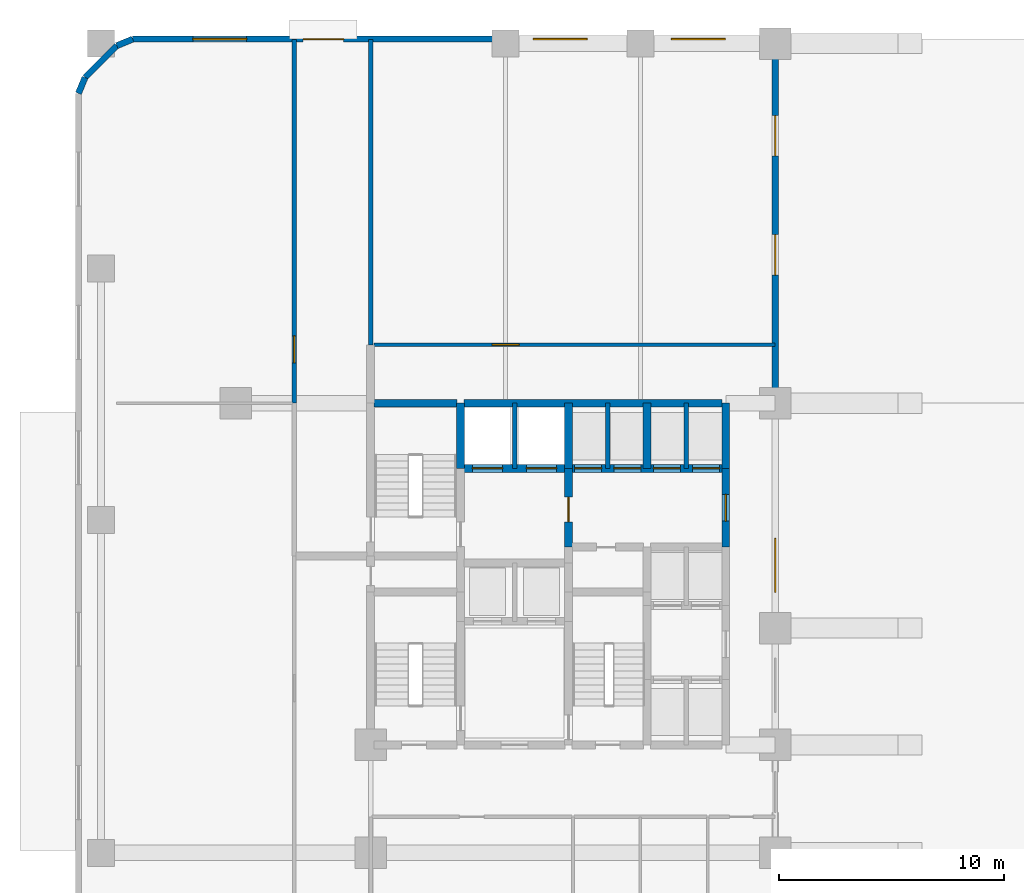
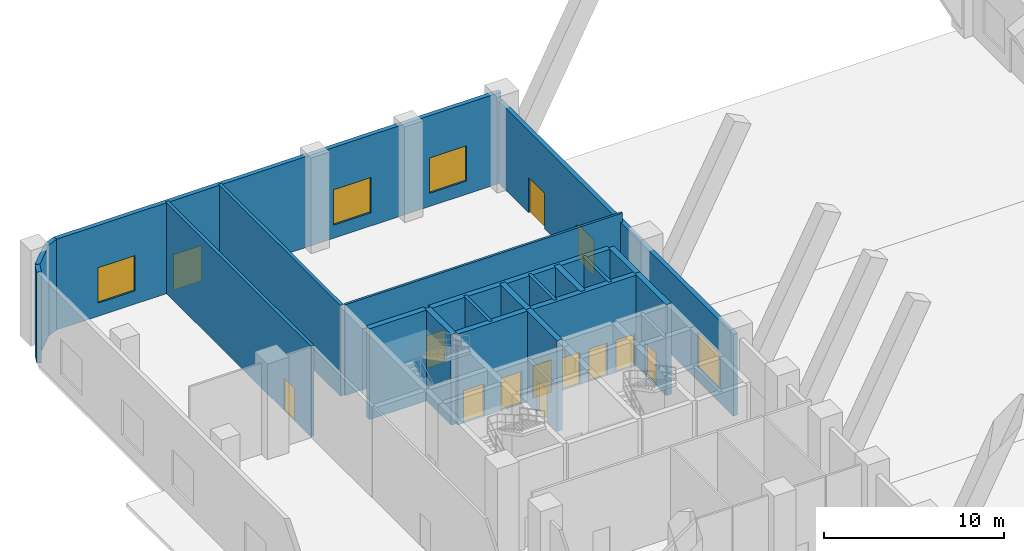
# One storey, part 5 of 10: 20 walls, 13 doors, 4 windows, 17 openings.
"""IFC4 building model written with IfcOpenShell, lengths in metres."""

import ifcopenshell
import ifcopenshell.guid

model = None  # the IFC model being written
_history = None  # IfcOwnerHistory: only IFC2X3 demands one
_inside = {}  # id of a spatial element -> (the spatial element, [elements in it])
_under = {}  # id of a project, library or spatial element -> (it, [spatial elements below it])
_declared = {}  # id of a project -> (the project, [libraries it declares])
_typed = {}  # id of a type object -> (the type object, [elements of that type])
_made_of = {}  # id of a material, layer set ... -> (it, [elements and type objects made of it])


def new_model(schema):
    """Start an empty IFC model of exactly this schema.

    Asked for "IFC4X3", IfcOpenShell would pick the latest addendum, in which some entities
    have other attributes; the version numbers below select the first issue.
    IFC2X3 requires an IfcOwnerHistory on every rooted entity: one is made here for all.
    """
    global model, _history
    if schema == "IFC4X3":
        model = ifcopenshell.file(schema_version=(4, 3, 0, 0))
    else:
        model = ifcopenshell.file(schema=schema)
    _inside.clear()
    _under.clear()
    _declared.clear()
    _typed.clear()
    _made_of.clear()
    _history = None
    if model.schema == "IFC2X3":
        org = make("IfcOrganization", Name="unknown")
        user = make(
            "IfcPersonAndOrganization",
            ThePerson=make("IfcPerson", FamilyName="unknown"),
            TheOrganization=org,
        )
        app = make(
            "IfcApplication",
            ApplicationDeveloper=org,
            Version="unknown",
            ApplicationFullName="unknown",
            ApplicationIdentifier="unknown",
        )
        _history = make(
            "IfcOwnerHistory",
            OwningUser=user,
            OwningApplication=app,
            ChangeAction="ADDED",
            CreationDate=0,
        )
    return model


def make(cls, **values):
    """One entity of the class cls with the attributes given. An attribute that is None is left unset."""
    return model.create_entity(
        cls, **{name: value for name, value in values.items() if value is not None}
    )


def rooted(cls, **values):
    """An entity with a GlobalId (a new one), such as an element, a storey or a relation."""
    return make(cls, GlobalId=ifcopenshell.guid.new(), OwnerHistory=_history, **values)


def si_unit(unit_type, name, prefix=None):
    """IfcSIUnit, for example si_unit("LENGTHUNIT", "METRE", prefix="MILLI")."""
    return make("IfcSIUnit", UnitType=unit_type, Prefix=prefix, Name=name)


def assignment(units):
    """IfcUnitAssignment: the units of a project."""
    return None if units is None else make("IfcUnitAssignment", Units=units)


def point(xyz):
    """IfcCartesianPoint."""
    return None if xyz is None else make("IfcCartesianPoint", Coordinates=xyz)


def direction(xyz):
    """IfcDirection."""
    return None if xyz is None else make("IfcDirection", DirectionRatios=xyz)


def frame(location, z_axis=None, x_axis=None):
    """IfcAxis2Placement3D, a coordinate frame: its origin and axes. An axis left out is left unset."""
    return make(
        "IfcAxis2Placement3D",
        Location=point(location),
        Axis=direction(z_axis),
        RefDirection=direction(x_axis),
    )


def frame_2d(location, x_axis=None):
    """IfcAxis2Placement2D, a coordinate frame in the plane: its origin and x axis."""
    return make(
        "IfcAxis2Placement2D", Location=point(location), RefDirection=direction(x_axis)
    )


def origin():
    """The frame at (0, 0, 0) with its axes left unset."""
    return frame((0.0, 0.0, 0.0))


def place(relative_to, where):
    """IfcLocalPlacement: puts the frame where relative to a parent placement (None: the world)."""
    return make(
        "IfcLocalPlacement", PlacementRelTo=relative_to, RelativePlacement=where
    )


def context(
    kind, dimensions, precision=None, world=None, true_north=None, identifier=None
):
    """IfcGeometricRepresentationContext, for example the 3D "Model" context."""
    return make(
        "IfcGeometricRepresentationContext",
        ContextIdentifier=identifier,
        ContextType=kind,
        CoordinateSpaceDimension=dimensions,
        Precision=precision,
        WorldCoordinateSystem=world,
        TrueNorth=true_north,
    )


def subcontext(parent, identifier, kind, view, scale=None):
    """IfcGeometricRepresentationSubContext, for example "Body" below "Model"."""
    return make(
        "IfcGeometricRepresentationSubContext",
        ContextIdentifier=identifier,
        ContextType=kind,
        ParentContext=parent,
        TargetScale=scale,
        TargetView=view,
    )


def project(units=None, contexts=None):
    """IfcProject with its units and contexts."""
    return rooted(
        "IfcProject",
        Name="project",
        RepresentationContexts=contexts,
        UnitsInContext=assignment(units),
    )


def spatial(cls, under=None, at=None, **own):
    """A site, building, storey or space (cls), placed at a placement, below another one or the project."""
    s = rooted(cls, ObjectPlacement=at, **own)
    if under is not None:
        _under.setdefault(under.id(), (under, []))[1].append(s)
    return s


def profile(cls, at=None, kind="AREA", **sizes):
    """A parametric profile (cls). Its sizes go by their IFC names, for example OverallWidth=200.0."""
    return make(cls, ProfileType=kind, Position=at, **sizes)


def rectangle(**sizes):
    """IfcRectangleProfileDef."""
    return profile("IfcRectangleProfileDef", **sizes)


def extrude(swept, where, along, depth):
    """IfcExtrudedAreaSolid: the profile swept, set in the frame where, extruded along a direction by depth."""
    return make(
        "IfcExtrudedAreaSolid",
        SweptArea=swept,
        Position=where,
        ExtrudedDirection=direction(along),
        Depth=depth,
    )


def shape(context_of_items, identifier, shape_type, items):
    """IfcShapeRepresentation: the items that make up one representation, for example the "Body"."""
    return make(
        "IfcShapeRepresentation",
        ContextOfItems=context_of_items,
        RepresentationIdentifier=identifier,
        RepresentationType=shape_type,
        Items=items,
    )


def material(Name=None, Category=None):
    """IfcMaterial."""
    return make("IfcMaterial", Name=Name, Category=Category)


def layer(
    of_material, thickness, ventilated=None, Name=None, Category=None, Priority=None
):
    """IfcMaterialLayer: one layer of a wall or slab, of a material (None: an air gap)."""
    return make(
        "IfcMaterialLayer",
        Material=of_material,
        LayerThickness=thickness,
        IsVentilated=ventilated,
        Name=Name,
        Category=Category,
        Priority=Priority,
    )


def layer_set(layers, Name=None):
    """IfcMaterialLayerSet."""
    return make("IfcMaterialLayerSet", MaterialLayers=layers, LayerSetName=Name)


def made_of(thing, what):
    """Note that an element or type object is made of a material, layer set ...; save() writes the relation."""
    if what is not None:
        _made_of.setdefault(what.id(), (what, []))[1].append(thing)
    return thing


def type_object(cls, material=None, **own):
    """A type object (cls), such as IfcWallType, which elements share."""
    return made_of(rooted(cls, **own), material)


def element(
    cls,
    number,
    at=None,
    inside=None,
    cuts=None,
    type_object=None,
    material=None,
    context=None,
    identifier="Body",
    shape_type=None,
    held_by="IfcProductDefinitionShape",
    body=None,
    shapes=None,
    **own,
):
    """One element of the class cls, such as IfcWall. Its Tag is "e" and its number.

    at: its placement. inside: the storey or other place that contains it. cuts: it is an
    opening in that element (IfcRelVoidsElement). A single representation is given by context,
    identifier, shape_type and body (its items); several are given by shapes. held_by: the class
    of the entity that holds the representations. save() writes the other relations.
    """
    e = rooted(cls, Tag="e%d" % number, ObjectPlacement=at, **own)
    if body is not None:
        shapes = [shape(context, identifier, shape_type, body)]
    if shapes is not None:
        e.Representation = make(held_by, Representations=shapes)
    if inside is not None:
        _inside.setdefault(inside.id(), (inside, []))[1].append(e)
    if cuts is not None:
        rooted(
            "IfcRelVoidsElement", RelatingBuildingElement=cuts, RelatedOpeningElement=e
        )
    if type_object is not None:
        _typed.setdefault(type_object.id(), (type_object, []))[1].append(e)
    return made_of(e, material)


def fill(opening, filler):
    """IfcRelFillsElement: the door or window that sits in an opening."""
    return rooted(
        "IfcRelFillsElement",
        RelatingOpeningElement=opening,
        RelatedBuildingElement=filler,
    )


def aggregate(whole, parts):
    """IfcRelAggregates: a whole, such as a stair, and the parts it consists of."""
    return rooted("IfcRelAggregates", RelatingObject=whole, RelatedObjects=parts)


def save(model, path):
    """Write the relations noted so far, then the file.

    IfcRelAggregates (storeys below a building ...), IfcRelContainedInSpatialStructure (elements
    in a storey), IfcRelDefinesByType, IfcRelAssociatesMaterial and IfcRelDeclares: one each for
    every whole, place, type object, material and project.
    """
    for whole, parts in _under.values():
        aggregate(whole, parts)
    for where, things in _inside.values():
        rooted(
            "IfcRelContainedInSpatialStructure",
            RelatedElements=things,
            RelatingStructure=where,
        )
    for kind, things in _typed.values():
        rooted("IfcRelDefinesByType", RelatedObjects=things, RelatingType=kind)
    for what, things in _made_of.values():
        rooted("IfcRelAssociatesMaterial", RelatedObjects=things, RelatingMaterial=what)
    for by, libraries in _declared.values():
        rooted("IfcRelDeclares", RelatingContext=by, RelatedDefinitions=libraries)
    model.write(path)


model = new_model("IFC4")

# Units and contexts
model_context = context("Model", 3, precision=1e-05, world=origin(), true_north=direction((0.0, 1.0)))
body_context = subcontext(model_context, "Body", "Model", "MODEL_VIEW")
ifc_project = project(units=[si_unit("LENGTHUNIT", "METRE"), si_unit("AREAUNIT", "SQUARE_METRE"), si_unit("VOLUMEUNIT", "CUBIC_METRE"), si_unit("PLANEANGLEUNIT", "RADIAN"), si_unit("MASSUNIT", "GRAM", prefix="KILO")], contexts=[model_context])

# Site, building, storey
site_placement = place(None, origin())
site = spatial("IfcSite", under=ifc_project, at=site_placement, CompositionType="ELEMENT")
building_placement = place(site_placement, origin())
building = spatial("IfcBuilding", under=site, at=building_placement, Name="Keshet Zoharim Tower", CompositionType="ELEMENT")
storey_placement = place(building_placement, origin())
storey = spatial("IfcBuildingStorey", under=building, at=storey_placement, Name="L00", CompositionType="ELEMENT", Elevation=0.0)

# Wall, opening, door
ifc_material_1 = material(Name="Gypsum Plasterboard", Category="gypsum")
ifc_layer_1 = layer(ifc_material_1, 0.14990234375)
ifc_layer_set_1 = layer_set([ifc_layer_1], Name="Gypsum Plasterboard")
wall_type_1 = type_object("IfcWallType", Name="WL-CLIN-150", PredefinedType="STANDARD", material=ifc_layer_set_1)
wall_1_placement = place(storey_placement, frame((15.159912109375, 40.5, 0.0), z_axis=(0.0, 0.0, 1.0), x_axis=(1.0, 0.0, 0.0)))
wall_1 = element("IfcWall", 1, at=wall_1_placement, inside=storey, type_object=wall_type_1, Name="L00 Interior Wall 078", PredefinedType="STANDARD", context=body_context, shape_type="SweptSolid", body=[
    extrude(rectangle(XDim=17.830078125, YDim=0.14990234375, at=frame_2d((8.9150390625, 0.0))), origin(), (0.0, 0.0, 1.0), 6.169921875),
])
opening_1_placement = place(wall_1_placement, frame((5.239990234375, 0.0, 0.0)))
opening_1 = element("IfcOpeningElement", 2, at=opening_1_placement, cuts=wall_1, Name="Opening D-F612", PredefinedType="OPENING", context=body_context, shape_type="SweptSolid", body=[
    extrude(rectangle(XDim=1.199951171875, YDim=2.199951171875, at=frame_2d((0.60009765625, 1.10009765625))), frame((0.0, 0.0849609375, 0.0), z_axis=(0.0, -1.0, 0.0), x_axis=(1.0, 0.0, 0.0)), (0.0, 0.0, 1.0), 0.169921875),
])
ifc_material_2 = material(Name="Hardwood Timber", Category="wood")
door_type_1 = type_object("IfcDoorType", Name="DR-FD60-120", OperationType="NOTDEFINED", PredefinedType="DOOR", material=ifc_material_2)
door_1_placement = place(opening_1_placement, origin())
door_1 = element("IfcDoor", 3, at=door_1_placement, inside=storey, type_object=door_type_1, Name="Ground Mobility and Pram Store Door", OperationType="SINGLE_SWING_LEFT", OverallHeight=2.199951171875, OverallWidth=1.199951171875, PredefinedType="DOOR", context=body_context, shape_type="SweptSolid", body=[
    extrude(rectangle(XDim=1.199951171875, YDim=2.199951171875, at=frame_2d((0.60009765625, 1.10009765625))), frame((0.0, 0.02490234375, 0.0), z_axis=(0.0, -1.0, 0.0), x_axis=(1.0, 0.0, 0.0)), (0.0, 0.0, 1.0), 0.050048828125),
])
fill(opening_1, door_1)

# Wall
ifc_material_3 = material(Name="Concrete C60/75", Category="concrete")
ifc_layer_2 = layer(ifc_material_3, 0.35009765625)
ifc_layer_set_2 = layer_set([ifc_layer_2], Name="Concrete C60/75")
wall_type_2 = type_object("IfcWallType", Name="WL-CORE-350", PredefinedType="SHEAR", material=ifc_layer_set_2)
wall_2_placement = place(storey_placement, frame((19.0, 35.0, 0.0), z_axis=(0.0, 0.0, 1.0), x_axis=(0.0, 1.0, 0.0)))
element("IfcWall", 4, at=wall_2_placement, inside=storey, type_object=wall_type_2, Name="L00 Core Shear Wall 014", PredefinedType="SHEAR", context=body_context, shape_type="SweptSolid", body=[
    extrude(rectangle(XDim=2.89990234375, YDim=0.35009765625, at=frame_2d((1.449951171875, 0.0))), origin(), (0.0, 0.0, 1.0), 6.169921875),
])

# Wall, opening, door
wall_3_placement = place(storey_placement, frame((23.800048828125, 31.5, 0.0), z_axis=(0.0, 0.0, 1.0), x_axis=(0.0, 1.0, 0.0)))
wall_3 = element("IfcWall", 5, at=wall_3_placement, inside=storey, type_object=wall_type_2, Name="L00 Core Shear Wall 021", PredefinedType="SHEAR", context=body_context, shape_type="SweptSolid", body=[
    extrude(rectangle(XDim=3.5, YDim=0.35009765625, at=frame_2d((1.75, 0.0))), origin(), (0.0, 0.0, 1.0), 6.169921875),
])
opening_2_placement = place(wall_3_placement, frame((1.126953125, 0.0, 0.0)))
opening_2 = element("IfcOpeningElement", 6, at=opening_2_placement, cuts=wall_3, Name="Opening D-F611", PredefinedType="OPENING", context=body_context, shape_type="SweptSolid", body=[
    extrude(rectangle(XDim=1.10009765625, YDim=2.14990234375, at=frame_2d((0.550048828125, 1.074951171875))), frame((0.0, 0.18505859375, 0.0), z_axis=(0.0, -1.0, 0.0), x_axis=(1.0, 0.0, 0.0)), (0.0, 0.0, 1.0), 0.3701171875),
])
door_type_2 = type_object("IfcDoorType", Name="DR-FD60-110", OperationType="NOTDEFINED", PredefinedType="DOOR", material=ifc_material_2)
door_2_placement = place(opening_2_placement, frame((1.10009765625, 0.0, 0.0), z_axis=(0.0, 0.0, 1.0), x_axis=(-1.0, 0.0, 0.0)))
door_2 = element("IfcDoor", 7, at=door_2_placement, inside=storey, type_object=door_type_2, Name="L00 Firefighting Lobby Fire Door", OperationType="SINGLE_SWING_RIGHT", OverallHeight=2.14990234375, OverallWidth=1.10009765625, PredefinedType="DOOR", context=body_context, shape_type="SweptSolid", body=[
    extrude(rectangle(XDim=1.10009765625, YDim=2.14990234375, at=frame_2d((0.550048828125, 1.074951171875))), frame((0.0, 0.02490234375, 0.0), z_axis=(0.0, -1.0, 0.0), x_axis=(1.0, 0.0, 0.0)), (0.0, 0.0, 1.0), 0.050048828125),
])
fill(opening_2, door_2)

# Walls
for number, where, z_axis, x_axis, name in (
    (8, (23.800048828125, 35.0, 0.0), (0.0, 0.0, 1.0), (0.0, 1.0, 0.0), "L00 Core Shear Wall 022"),
    (9, (27.300048828125, 35.0, 0.0), (0.0, 0.0, 1.0), (0.0, 1.0, 0.0), "L00 Core Shear Wall 030"),
):
    element("IfcWall", number, at=place(storey_placement, frame(where, z_axis=z_axis, x_axis=x_axis)), inside=storey, type_object=wall_type_2, Name=name, PredefinedType="SHEAR", context=body_context, shape_type="SweptSolid", body=[
        extrude(rectangle(XDim=2.89990234375, YDim=0.35009765625, at=frame_2d((1.449951171875, 0.0))), origin(), (0.0, 0.0, 1.0), 6.169921875),
    ])

# Wall, opening, door
wall_4_placement = place(storey_placement, frame((30.800048828125, 31.5, 0.0), z_axis=(0.0, 0.0, 1.0), x_axis=(0.0, 1.0, 0.0)))
wall_4 = element("IfcWall", 10, at=wall_4_placement, inside=storey, type_object=wall_type_2, Name="L00 Core Shear Wall 038", PredefinedType="SHEAR", context=body_context, shape_type="SweptSolid", body=[
    extrude(rectangle(XDim=3.5, YDim=0.35009765625, at=frame_2d((1.75, 0.0))), origin(), (0.0, 0.0, 1.0), 6.169921875),
])
opening_3_placement = place(wall_4_placement, frame((1.14990234375, 0.0, 0.0)))
opening_3 = element("IfcOpeningElement", 11, at=opening_3_placement, cuts=wall_4, Name="Opening D-F612", PredefinedType="OPENING", context=body_context, shape_type="SweptSolid", body=[
    extrude(rectangle(XDim=1.199951171875, YDim=2.199951171875, at=frame_2d((0.60009765625, 1.10009765625))), frame((0.0, 0.18505859375, 0.0), z_axis=(0.0, -1.0, 0.0), x_axis=(1.0, 0.0, 0.0)), (0.0, 0.0, 1.0), 0.3701171875),
])
door_3_placement = place(opening_3_placement, frame((1.199951171875, 0.0, 0.0), z_axis=(0.0, 0.0, 1.0), x_axis=(-1.0, 0.0, 0.0)))
door_3 = element("IfcDoor", 12, at=door_3_placement, inside=storey, type_object=door_type_1, Name="L00 North Lift Lobby East Fire Door", OperationType="SINGLE_SWING_RIGHT", OverallHeight=2.199951171875, OverallWidth=1.199951171875, PredefinedType="DOOR", context=body_context, shape_type="SweptSolid", body=[
    extrude(rectangle(XDim=1.199951171875, YDim=2.199951171875, at=frame_2d((0.60009765625, 1.10009765625))), frame((0.0, 0.02490234375, 0.0), z_axis=(0.0, -1.0, 0.0), x_axis=(1.0, 0.0, 0.0)), (0.0, 0.0, 1.0), 0.050048828125),
])
fill(opening_3, door_3)

# Wall
wall_5_placement = place(storey_placement, frame((30.800048828125, 35.0, 0.0), z_axis=(0.0, 0.0, 1.0), x_axis=(0.0, 1.0, 0.0)))
element("IfcWall", 13, at=wall_5_placement, inside=storey, type_object=wall_type_2, Name="L00 Core Shear Wall 039", PredefinedType="SHEAR", context=body_context, shape_type="SweptSolid", body=[
    extrude(rectangle(XDim=2.89990234375, YDim=0.35009765625, at=frame_2d((1.449951171875, 0.0))), origin(), (0.0, 0.0, 1.0), 6.169921875),
])

# Wall, openings, doors
wall_6_placement = place(storey_placement, frame((19.159912109375, 35.0, 0.0), z_axis=(0.0, 0.0, 1.0), x_axis=(1.0, 0.0, 0.0)))
wall_6 = element("IfcWall", 14, at=wall_6_placement, inside=storey, type_object=wall_type_2, Name="L00 Core Shear Wall 074", PredefinedType="SHEAR", context=body_context, shape_type="SweptSolid", body=[
    extrude(rectangle(XDim=11.47998046875, YDim=0.35009765625, at=frame_2d((5.739990234375, 0.0))), origin(), (0.0, 0.0, 1.0), 6.169921875),
])
opening_4_placement = place(wall_6_placement, frame((0.364990234375, 0.0, 0.0)))
opening_4 = element("IfcOpeningElement", 15, at=opening_4_placement, cuts=wall_6, Name="Opening LD-02", PredefinedType="OPENING", context=body_context, shape_type="SweptSolid", body=[
    extrude(rectangle(XDim=1.35009765625, YDim=2.199951171875, at=frame_2d((0.675048828125, 1.10009765625))), frame((0.0, 0.18505859375, 0.0), z_axis=(0.0, -1.0, 0.0), x_axis=(1.0, 0.0, 0.0)), (0.0, 0.0, 1.0), 0.3701171875),
])
opening_5_placement = place(wall_6_placement, frame((2.764892578125, 0.0, 0.0)))
opening_5 = element("IfcOpeningElement", 16, at=opening_5_placement, cuts=wall_6, Name="Opening LD-02", PredefinedType="OPENING", context=body_context, shape_type="SweptSolid", body=[
    extrude(rectangle(XDim=1.35009765625, YDim=2.199951171875, at=frame_2d((0.675048828125, 1.10009765625))), frame((0.0, 0.18505859375, 0.0), z_axis=(0.0, -1.0, 0.0), x_axis=(1.0, 0.0, 0.0)), (0.0, 0.0, 1.0), 0.3701171875),
])
opening_6_placement = place(wall_6_placement, frame((4.9150390625, 0.0, 0.0)))
opening_6 = element("IfcOpeningElement", 17, at=opening_6_placement, cuts=wall_6, Name="Opening LD-03", PredefinedType="OPENING", context=body_context, shape_type="SweptSolid", body=[
    extrude(rectangle(XDim=1.199951171875, YDim=2.199951171875, at=frame_2d((0.60009765625, 1.10009765625))), frame((0.0, 0.18505859375, 0.0), z_axis=(0.0, -1.0, 0.0), x_axis=(1.0, 0.0, 0.0)), (0.0, 0.0, 1.0), 0.3701171875),
])
opening_7_placement = place(wall_6_placement, frame((6.6650390625, 0.0, 0.0)))
opening_7 = element("IfcOpeningElement", 18, at=opening_7_placement, cuts=wall_6, Name="Opening LD-03", PredefinedType="OPENING", context=body_context, shape_type="SweptSolid", body=[
    extrude(rectangle(XDim=1.199951171875, YDim=2.199951171875, at=frame_2d((0.60009765625, 1.10009765625))), frame((0.0, 0.18505859375, 0.0), z_axis=(0.0, -1.0, 0.0), x_axis=(1.0, 0.0, 0.0)), (0.0, 0.0, 1.0), 0.3701171875),
])
opening_8_placement = place(wall_6_placement, frame((8.4150390625, 0.0, 0.0)))
opening_8 = element("IfcOpeningElement", 19, at=opening_8_placement, cuts=wall_6, Name="Opening LD-03", PredefinedType="OPENING", context=body_context, shape_type="SweptSolid", body=[
    extrude(rectangle(XDim=1.199951171875, YDim=2.199951171875, at=frame_2d((0.60009765625, 1.10009765625))), frame((0.0, 0.18505859375, 0.0), z_axis=(0.0, -1.0, 0.0), x_axis=(1.0, 0.0, 0.0)), (0.0, 0.0, 1.0), 0.3701171875),
])
opening_9_placement = place(wall_6_placement, frame((10.159912109375, 0.0, 0.0)))
opening_9 = element("IfcOpeningElement", 20, at=opening_9_placement, cuts=wall_6, Name="Opening LD-03", PredefinedType="OPENING", context=body_context, shape_type="SweptSolid", body=[
    extrude(rectangle(XDim=1.199951171875, YDim=2.199951171875, at=frame_2d((0.60009765625, 1.10009765625))), frame((0.0, 0.18505859375, 0.0), z_axis=(0.0, -1.0, 0.0), x_axis=(1.0, 0.0, 0.0)), (0.0, 0.0, 1.0), 0.3701171875),
])
ifc_material_4 = material(Name="Steel S355", Category="steel")
door_type_3 = type_object("IfcDoorType", Name="DR-LD02-135", OperationType="DOUBLE_DOOR_SLIDING", PredefinedType="DOOR", material=ifc_material_4)
door_4_placement = place(opening_4_placement, origin())
door_4 = element("IfcDoor", 21, at=door_4_placement, inside=storey, type_object=door_type_3, Name="L00 Firefighting Lift Landing Door FF-01", OperationType="DOUBLE_DOOR_SLIDING", OverallHeight=2.199951171875, OverallWidth=1.35009765625, PredefinedType="DOOR", context=body_context, shape_type="SweptSolid", body=[
    extrude(rectangle(XDim=1.35009765625, YDim=2.199951171875, at=frame_2d((0.675048828125, 1.10009765625))), frame((0.0, 0.02490234375, 0.0), z_axis=(0.0, -1.0, 0.0), x_axis=(1.0, 0.0, 0.0)), (0.0, 0.0, 1.0), 0.050048828125),
])
fill(opening_4, door_4)
door_5_placement = place(opening_5_placement, origin())
door_5 = element("IfcDoor", 22, at=door_5_placement, inside=storey, type_object=door_type_3, Name="L00 Firefighting Lift Landing Door FF-02", OperationType="DOUBLE_DOOR_SLIDING", OverallHeight=2.199951171875, OverallWidth=1.35009765625, PredefinedType="DOOR", context=body_context, shape_type="SweptSolid", body=[
    extrude(rectangle(XDim=1.35009765625, YDim=2.199951171875, at=frame_2d((0.675048828125, 1.10009765625))), frame((0.0, 0.02490234375, 0.0), z_axis=(0.0, -1.0, 0.0), x_axis=(1.0, 0.0, 0.0)), (0.0, 0.0, 1.0), 0.050048828125),
])
fill(opening_5, door_5)
door_type_4 = type_object("IfcDoorType", Name="DR-LD03-120", OperationType="DOUBLE_DOOR_SLIDING", PredefinedType="DOOR", material=ifc_material_4)
door_6_placement = place(opening_6_placement, origin())
door_6 = element("IfcDoor", 23, at=door_6_placement, inside=storey, type_object=door_type_4, Name="L00 Passenger Lift Landing Door LF-01", OperationType="DOUBLE_DOOR_SLIDING", OverallHeight=2.199951171875, OverallWidth=1.199951171875, PredefinedType="DOOR", context=body_context, shape_type="SweptSolid", body=[
    extrude(rectangle(XDim=1.199951171875, YDim=2.199951171875, at=frame_2d((0.60009765625, 1.10009765625))), frame((0.0, 0.02490234375, 0.0), z_axis=(0.0, -1.0, 0.0), x_axis=(1.0, 0.0, 0.0)), (0.0, 0.0, 1.0), 0.050048828125),
])
fill(opening_6, door_6)
door_7_placement = place(opening_7_placement, origin())
door_7 = element("IfcDoor", 24, at=door_7_placement, inside=storey, type_object=door_type_4, Name="L00 Passenger Lift Landing Door LF-02", OperationType="DOUBLE_DOOR_SLIDING", OverallHeight=2.199951171875, OverallWidth=1.199951171875, PredefinedType="DOOR", context=body_context, shape_type="SweptSolid", body=[
    extrude(rectangle(XDim=1.199951171875, YDim=2.199951171875, at=frame_2d((0.60009765625, 1.10009765625))), frame((0.0, 0.02490234375, 0.0), z_axis=(0.0, -1.0, 0.0), x_axis=(1.0, 0.0, 0.0)), (0.0, 0.0, 1.0), 0.050048828125),
])
fill(opening_7, door_7)
door_8_placement = place(opening_8_placement, origin())
door_8 = element("IfcDoor", 25, at=door_8_placement, inside=storey, type_object=door_type_4, Name="L00 Passenger Lift Landing Door LF-03", OperationType="DOUBLE_DOOR_SLIDING", OverallHeight=2.199951171875, OverallWidth=1.199951171875, PredefinedType="DOOR", context=body_context, shape_type="SweptSolid", body=[
    extrude(rectangle(XDim=1.199951171875, YDim=2.199951171875, at=frame_2d((0.60009765625, 1.10009765625))), frame((0.0, 0.02490234375, 0.0), z_axis=(0.0, -1.0, 0.0), x_axis=(1.0, 0.0, 0.0)), (0.0, 0.0, 1.0), 0.050048828125),
])
fill(opening_8, door_8)
door_9_placement = place(opening_9_placement, origin())
door_9 = element("IfcDoor", 26, at=door_9_placement, inside=storey, type_object=door_type_4, Name="L00 Passenger Lift Landing Door LF-04", OperationType="DOUBLE_DOOR_SLIDING", OverallHeight=2.199951171875, OverallWidth=1.199951171875, PredefinedType="DOOR", context=body_context, shape_type="SweptSolid", body=[
    extrude(rectangle(XDim=1.199951171875, YDim=2.199951171875, at=frame_2d((0.60009765625, 1.10009765625))), frame((0.0, 0.02490234375, 0.0), z_axis=(0.0, -1.0, 0.0), x_axis=(1.0, 0.0, 0.0)), (0.0, 0.0, 1.0), 0.050048828125),
])
fill(opening_9, door_9)

# Walls
wall_7_placement = place(storey_placement, frame((15.159912109375, 37.89990234375, 0.0), z_axis=(0.0, 0.0, 1.0), x_axis=(1.0, 0.0, 0.0)))
element("IfcWall", 27, at=wall_7_placement, inside=storey, type_object=wall_type_2, Name="L00 Core Shear Wall 076", PredefinedType="SHEAR", context=body_context, shape_type="SweptSolid", body=[
    extrude(rectangle(XDim=3.68017578125, YDim=0.35009765625, at=frame_2d((1.840087890625, 0.0))), origin(), (0.0, 0.0, 1.0), 6.169921875),
])
wall_8_placement = place(storey_placement, frame((19.159912109375, 37.89990234375, 0.0), z_axis=(0.0, 0.0, 1.0), x_axis=(1.0, 0.0, 0.0)))
element("IfcWall", 28, at=wall_8_placement, inside=storey, type_object=wall_type_2, Name="L00 Core Shear Wall 077", PredefinedType="SHEAR", context=body_context, shape_type="SweptSolid", body=[
    extrude(rectangle(XDim=11.47998046875, YDim=0.35009765625, at=frame_2d((5.739990234375, 0.0))), origin(), (0.0, 0.0, 1.0), 6.169921875),
])
ifc_material_5 = material(Name="Concrete C50/60 precast", Category="concrete")
ifc_layer_3 = layer(ifc_material_5, 0.280029296875)
ifc_layer_set_3 = layer_set([ifc_layer_3], Name="Concrete C50/60 precast")
wall_type_3 = type_object("IfcWallType", Name="WL-EXT-280", PredefinedType="STANDARD", material=ifc_layer_set_3)
wall_9_placement = place(storey_placement, frame((2.0, 51.68603515625, 0.0), z_axis=(0.0, 0.0, 1.0), x_axis=(0.382802560388, 0.92383017907, 0.0)))
element("IfcWall", 29, at=wall_9_placement, inside=storey, type_object=wall_type_3, Name="L00 Podium Precast Facade Wall 02", PredefinedType="STANDARD", context=body_context, shape_type="SweptSolid", body=[
    extrude(rectangle(XDim=0.765380859375, YDim=0.280029296875, at=frame_2d((0.3828125, 0.0))), origin(), (0.0, 0.0, 1.0), 6.169921875),
])
wall_10_placement = place(storey_placement, frame((2.29296875, 52.39306640625, 0.0), z_axis=(0.0, 0.0, 1.0), x_axis=(0.707167825498, 0.707045731605, 0.0)))
element("IfcWall", 30, at=wall_10_placement, inside=storey, type_object=wall_type_3, Name="L00 Podium Precast Facade Wall 03", PredefinedType="STANDARD", context=body_context, shape_type="SweptSolid", body=[
    extrude(rectangle(XDim=1.99951171875, YDim=0.280029296875, at=frame_2d((0.999755859375, 0.0))), origin(), (0.0, 0.0, 1.0), 6.169921875),
])
wall_11_placement = place(storey_placement, frame((3.70703125, 53.806884765625, 0.0), z_axis=(0.0, 0.0, 1.0), x_axis=(0.923717339373, 0.383074766777, 0.0)))
element("IfcWall", 31, at=wall_11_placement, inside=storey, type_object=wall_type_3, Name="L00 Podium Precast Facade Wall 04", PredefinedType="STANDARD", context=body_context, shape_type="SweptSolid", body=[
    extrude(rectangle(XDim=0.765380859375, YDim=0.280029296875, at=frame_2d((0.3828125, 0.0))), origin(), (0.0, 0.0, 1.0), 6.169921875),
])

# Wall, openings, door, windows
wall_12_placement = place(storey_placement, frame((4.4140625, 54.10009765625, 0.0), z_axis=(0.0, 0.0, 1.0), x_axis=(1.0, 0.0, 0.0)))
wall_12 = element("IfcWall", 32, at=wall_12_placement, inside=storey, type_object=wall_type_3, Name="L00 Podium Precast Facade Wall 05", PredefinedType="STANDARD", context=body_context, shape_type="SweptSolid", body=[
    extrude(rectangle(XDim=28.5859375, YDim=0.280029296875, at=frame_2d((14.29296875, 0.0))), origin(), (0.0, 0.0, 1.0), 6.169921875),
])
opening_10_placement = place(wall_12_placement, frame((7.5859375, 0.0, 0.0)))
opening_10 = element("IfcOpeningElement", 33, at=opening_10_placement, cuts=wall_12, Name="Opening D-EX18", PredefinedType="OPENING", context=body_context, shape_type="SweptSolid", body=[
    extrude(rectangle(XDim=1.800048828125, YDim=2.39990234375, at=frame_2d((0.89990234375, 1.199951171875))), frame((0.0, 0.14990234375, 0.0), z_axis=(0.0, -1.0, 0.0), x_axis=(1.0, 0.0, 0.0)), (0.0, 0.0, 1.0), 0.300048828125),
])
opening_11_placement = place(wall_12_placement, frame((2.673095703125, 0.0, 0.89990234375)))
opening_11 = element("IfcOpeningElement", 34, at=opening_11_placement, cuts=wall_12, Name="Opening W-240", PredefinedType="OPENING", context=body_context, shape_type="SweptSolid", body=[
    extrude(rectangle(XDim=2.39990234375, YDim=2.39990234375, at=frame_2d((1.199951171875, 1.199951171875))), frame((0.0, 0.14990234375, 0.0), z_axis=(0.0, -1.0, 0.0), x_axis=(1.0, 0.0, 0.0)), (0.0, 0.0, 1.0), 0.300048828125),
])
opening_12_placement = place(wall_12_placement, frame((17.81591796875, 0.0, 0.89990234375)))
opening_12 = element("IfcOpeningElement", 35, at=opening_12_placement, cuts=wall_12, Name="Opening W-240", PredefinedType="OPENING", context=body_context, shape_type="SweptSolid", body=[
    extrude(rectangle(XDim=2.39990234375, YDim=2.39990234375, at=frame_2d((1.199951171875, 1.199951171875))), frame((0.0, 0.14990234375, 0.0), z_axis=(0.0, -1.0, 0.0), x_axis=(1.0, 0.0, 0.0)), (0.0, 0.0, 1.0), 0.300048828125),
])
opening_13_placement = place(wall_12_placement, frame((23.962890625, 0.0, 0.89990234375)))
opening_13 = element("IfcOpeningElement", 36, at=opening_13_placement, cuts=wall_12, Name="Opening W-240", PredefinedType="OPENING", context=body_context, shape_type="SweptSolid", body=[
    extrude(rectangle(XDim=2.39990234375, YDim=2.39990234375, at=frame_2d((1.199951171875, 1.199951171875))), frame((0.0, 0.14990234375, 0.0), z_axis=(0.0, -1.0, 0.0), x_axis=(1.0, 0.0, 0.0)), (0.0, 0.0, 1.0), 0.300048828125),
])
ifc_material_6 = material(Name="Aluminium 6063-T6", Category="aluminium")
door_type_5 = type_object("IfcDoorType", Name="DR-EXT-180", OperationType="DOUBLE_DOOR_SINGLE_SWING", PredefinedType="DOOR", material=ifc_material_6)
door_10_placement = place(opening_10_placement, origin())
door_10 = element("IfcDoor", 37, at=door_10_placement, inside=storey, type_object=door_type_5, Name="North Street Protected Exit Discharge Door 01", OperationType="DOUBLE_DOOR_SINGLE_SWING", OverallHeight=2.39990234375, OverallWidth=1.800048828125, PredefinedType="DOOR", context=body_context, shape_type="SweptSolid", body=[
    extrude(rectangle(XDim=1.800048828125, YDim=2.39990234375, at=frame_2d((0.89990234375, 1.199951171875))), frame((0.0, 0.02490234375, 0.0), z_axis=(0.0, -1.0, 0.0), x_axis=(1.0, 0.0, 0.0)), (0.0, 0.0, 1.0), 0.050048828125),
])
fill(opening_10, door_10)
ifc_material_7 = material(Name="Insulated Low-E Clear Glass", Category="glass")
window_type = type_object("IfcWindowType", Name="WN-POD-240", PartitioningType="DOUBLE_PANEL_VERTICAL", PredefinedType="WINDOW", material=ifc_material_7)
window_1_placement = place(opening_11_placement, origin())
window_1 = element("IfcWindow", 38, at=window_1_placement, inside=storey, type_object=window_type, Name="Podium Storefront Window 08", OverallHeight=2.39990234375, OverallWidth=2.39990234375, PartitioningType="DOUBLE_PANEL_VERTICAL", PredefinedType="WINDOW", context=body_context, shape_type="SweptSolid", body=[
    extrude(rectangle(XDim=2.39990234375, YDim=2.39990234375, at=frame_2d((1.199951171875, 1.199951171875))), frame((0.0, 0.030029296875, 0.0), z_axis=(0.0, -1.0, 0.0), x_axis=(1.0, 0.0, 0.0)), (0.0, 0.0, 1.0), 0.06005859375),
])
fill(opening_11, window_1)
window_2_placement = place(opening_12_placement, origin())
window_2 = element("IfcWindow", 39, at=window_2_placement, inside=storey, type_object=window_type, Name="Podium Storefront Window 09", OverallHeight=2.39990234375, OverallWidth=2.39990234375, PartitioningType="DOUBLE_PANEL_VERTICAL", PredefinedType="WINDOW", context=body_context, shape_type="SweptSolid", body=[
    extrude(rectangle(XDim=2.39990234375, YDim=2.39990234375, at=frame_2d((1.199951171875, 1.199951171875))), frame((0.0, 0.030029296875, 0.0), z_axis=(0.0, -1.0, 0.0), x_axis=(1.0, 0.0, 0.0)), (0.0, 0.0, 1.0), 0.06005859375),
])
fill(opening_12, window_2)
window_3_placement = place(opening_13_placement, origin())
window_3 = element("IfcWindow", 40, at=window_3_placement, inside=storey, type_object=window_type, Name="Podium Storefront Window 10", OverallHeight=2.39990234375, OverallWidth=2.39990234375, PartitioningType="DOUBLE_PANEL_VERTICAL", PredefinedType="WINDOW", context=body_context, shape_type="SweptSolid", body=[
    extrude(rectangle(XDim=2.39990234375, YDim=2.39990234375, at=frame_2d((1.199951171875, 1.199951171875))), frame((0.0, 0.030029296875, 0.0), z_axis=(0.0, -1.0, 0.0), x_axis=(1.0, 0.0, 0.0)), (0.0, 0.0, 1.0), 0.06005859375),
])
fill(opening_13, window_3)

# Wall, openings, doors, window
wall_13_placement = place(storey_placement, frame((33.0, 54.10009765625, 0.0), z_axis=(0.0, 0.0, 1.0), x_axis=(0.0, -1.0, 0.0)))
wall_13 = element("IfcWall", 41, at=wall_13_placement, inside=storey, type_object=wall_type_3, Name="L00 Podium Precast Facade Wall 06", PredefinedType="STANDARD", context=body_context, shape_type="SweptSolid", body=[
    extrude(rectangle(XDim=26.2001953125, YDim=0.280029296875, at=frame_2d((13.10009765625, 0.0))), origin(), (0.0, 0.0, 1.0), 5.570068359375),
])
opening_14_placement = place(wall_13_placement, frame((8.699951171875, 0.0, 0.0)))
opening_14 = element("IfcOpeningElement", 42, at=opening_14_placement, cuts=wall_13, Name="Opening D-EX18", PredefinedType="OPENING", context=body_context, shape_type="SweptSolid", body=[
    extrude(rectangle(XDim=1.800048828125, YDim=2.39990234375, at=frame_2d((0.89990234375, 1.199951171875))), frame((0.0, 0.14990234375, 0.0), z_axis=(0.0, -1.0, 0.0), x_axis=(1.0, 0.0, 0.0)), (0.0, 0.0, 1.0), 0.300048828125),
])
opening_15_placement = place(wall_13_placement, frame((3.39990234375, 0.0, 0.0)))
opening_15 = element("IfcOpeningElement", 43, at=opening_15_placement, cuts=wall_13, Name="Opening D-EX18", PredefinedType="OPENING", context=body_context, shape_type="SweptSolid", body=[
    extrude(rectangle(XDim=1.800048828125, YDim=2.39990234375, at=frame_2d((0.89990234375, 1.199951171875))), frame((0.0, 0.14990234375, 0.0), z_axis=(0.0, -1.0, 0.0), x_axis=(1.0, 0.0, 0.0)), (0.0, 0.0, 1.0), 0.300048828125),
])
opening_16_placement = place(wall_13_placement, frame((22.2119140625, 0.0, 0.89990234375)))
opening_16 = element("IfcOpeningElement", 44, at=opening_16_placement, cuts=wall_13, Name="Opening W-240", PredefinedType="OPENING", context=body_context, shape_type="SweptSolid", body=[
    extrude(rectangle(XDim=2.39990234375, YDim=2.39990234375, at=frame_2d((1.199951171875, 1.199951171875))), frame((0.0, 0.14990234375, 0.0), z_axis=(0.0, -1.0, 0.0), x_axis=(1.0, 0.0, 0.0)), (0.0, 0.0, 1.0), 0.300048828125),
])
door_11_placement = place(opening_14_placement, origin())
door_11 = element("IfcDoor", 45, at=door_11_placement, inside=storey, type_object=door_type_5, Name="Arch Concourse Entrance Door 03", OperationType="DOUBLE_DOOR_SINGLE_SWING", OverallHeight=2.39990234375, OverallWidth=1.800048828125, PredefinedType="DOOR", context=body_context, shape_type="SweptSolid", body=[
    extrude(rectangle(XDim=1.800048828125, YDim=2.39990234375, at=frame_2d((0.89990234375, 1.199951171875))), frame((0.0, 0.02490234375, 0.0), z_axis=(0.0, -1.0, 0.0), x_axis=(1.0, 0.0, 0.0)), (0.0, 0.0, 1.0), 0.050048828125),
])
fill(opening_14, door_11)
door_12_placement = place(opening_15_placement, origin())
door_12 = element("IfcDoor", 46, at=door_12_placement, inside=storey, type_object=door_type_5, Name="Arch Concourse Entrance Door 04", OperationType="DOUBLE_DOOR_SINGLE_SWING", OverallHeight=2.39990234375, OverallWidth=1.800048828125, PredefinedType="DOOR", context=body_context, shape_type="SweptSolid", body=[
    extrude(rectangle(XDim=1.800048828125, YDim=2.39990234375, at=frame_2d((0.89990234375, 1.199951171875))), frame((0.0, 0.02490234375, 0.0), z_axis=(0.0, -1.0, 0.0), x_axis=(1.0, 0.0, 0.0)), (0.0, 0.0, 1.0), 0.050048828125),
])
fill(opening_15, door_12)
window_4_placement = place(opening_16_placement, origin())
window_4 = element("IfcWindow", 47, at=window_4_placement, inside=storey, type_object=window_type, Name="Podium Storefront Window 11", OverallHeight=2.39990234375, OverallWidth=2.39990234375, PartitioningType="DOUBLE_PANEL_VERTICAL", PredefinedType="WINDOW", context=body_context, shape_type="SweptSolid", body=[
    extrude(rectangle(XDim=2.39990234375, YDim=2.39990234375, at=frame_2d((1.199951171875, 1.199951171875))), frame((0.0, 0.030029296875, 0.0), z_axis=(0.0, -1.0, 0.0), x_axis=(1.0, 0.0, 0.0)), (0.0, 0.0, 1.0), 0.06005859375),
])
fill(opening_16, window_4)

# Wall, opening, door
ifc_material_8 = material(Name="Concrete C50/60", Category="concrete")
ifc_layer_4 = layer(ifc_material_8, 0.199951171875)
ifc_layer_set_4 = layer_set([ifc_layer_4], Name="Concrete C50/60")
wall_type_4 = type_object("IfcWallType", Name="WL-FIRE-200", PredefinedType="STANDARD", material=ifc_layer_set_4)
wall_14_placement = place(storey_placement, frame((11.60009765625, 37.89990234375, 0.0), z_axis=(0.0, 0.0, 1.0), x_axis=(0.0, 1.0, 0.0)))
wall_14 = element("IfcWall", 48, at=wall_14_placement, inside=storey, type_object=wall_type_4, Name="L00 Interior Wall 003", PredefinedType="STANDARD", context=body_context, shape_type="SweptSolid", body=[
    extrude(rectangle(XDim=16.190185546875, YDim=0.199951171875, at=frame_2d((8.09521484375, 0.0))), origin(), (0.0, 0.0, 1.0), 6.169921875),
])
opening_17_placement = place(wall_14_placement, frame((1.800048828125, 0.0, 0.0)))
opening_17 = element("IfcOpeningElement", 49, at=opening_17_placement, cuts=wall_14, Name="Opening D-F612", PredefinedType="OPENING", context=body_context, shape_type="SweptSolid", body=[
    extrude(rectangle(XDim=1.199951171875, YDim=2.199951171875, at=frame_2d((0.60009765625, 1.10009765625))), frame((0.0, 0.10986328125, 0.0), z_axis=(0.0, -1.0, 0.0), x_axis=(1.0, 0.0, 0.0)), (0.0, 0.0, 1.0), 0.219970703125),
])
door_13_placement = place(opening_17_placement, origin())
door_13 = element("IfcDoor", 50, at=door_13_placement, inside=storey, type_object=door_type_1, Name="Goods Loading Bay Corridor Door", OperationType="SINGLE_SWING_LEFT", OverallHeight=2.199951171875, OverallWidth=1.199951171875, PredefinedType="DOOR", context=body_context, shape_type="SweptSolid", body=[
    extrude(rectangle(XDim=1.199951171875, YDim=2.199951171875, at=frame_2d((0.60009765625, 1.10009765625))), frame((0.0, 0.02490234375, 0.0), z_axis=(0.0, -1.0, 0.0), x_axis=(1.0, 0.0, 0.0)), (0.0, 0.0, 1.0), 0.050048828125),
])
fill(opening_17, door_13)

# Walls
wall_15_placement = place(storey_placement, frame((15.0, 40.5, 0.0), z_axis=(0.0, 0.0, 1.0), x_axis=(0.0, 1.0, 0.0)))
element("IfcWall", 51, at=wall_15_placement, inside=storey, type_object=wall_type_4, Name="L00 Interior Wall 010", PredefinedType="STANDARD", context=body_context, shape_type="SweptSolid", body=[
    extrude(rectangle(XDim=13.590087890625, YDim=0.199951171875, at=frame_2d((6.794921875, 0.0))), origin(), (0.0, 0.0, 1.0), 6.169921875),
])
for number, where, z_axis, x_axis, name in (
    (52, (21.39990234375, 35.0, 0.0), (0.0, 0.0, 1.0), (0.0, 1.0, 0.0), "L00 Interior Wall 016"),
    (53, (25.550048828125, 35.0, 0.0), (0.0, 0.0, 1.0), (0.0, 1.0, 0.0), "L00 Interior Wall 024"),
    (54, (29.050048828125, 35.0, 0.0), (0.0, 0.0, 1.0), (0.0, 1.0, 0.0), "L00 Interior Wall 033"),
):
    element("IfcWall", number, at=place(storey_placement, frame(where, z_axis=z_axis, x_axis=x_axis)), inside=storey, type_object=wall_type_4, Name=name, PredefinedType="STANDARD", context=body_context, shape_type="SweptSolid", body=[
        extrude(rectangle(XDim=2.89990234375, YDim=0.199951171875, at=frame_2d((1.449951171875, 0.0))), origin(), (0.0, 0.0, 1.0), 6.169921875),
    ])

save(model, "model.ifc")
